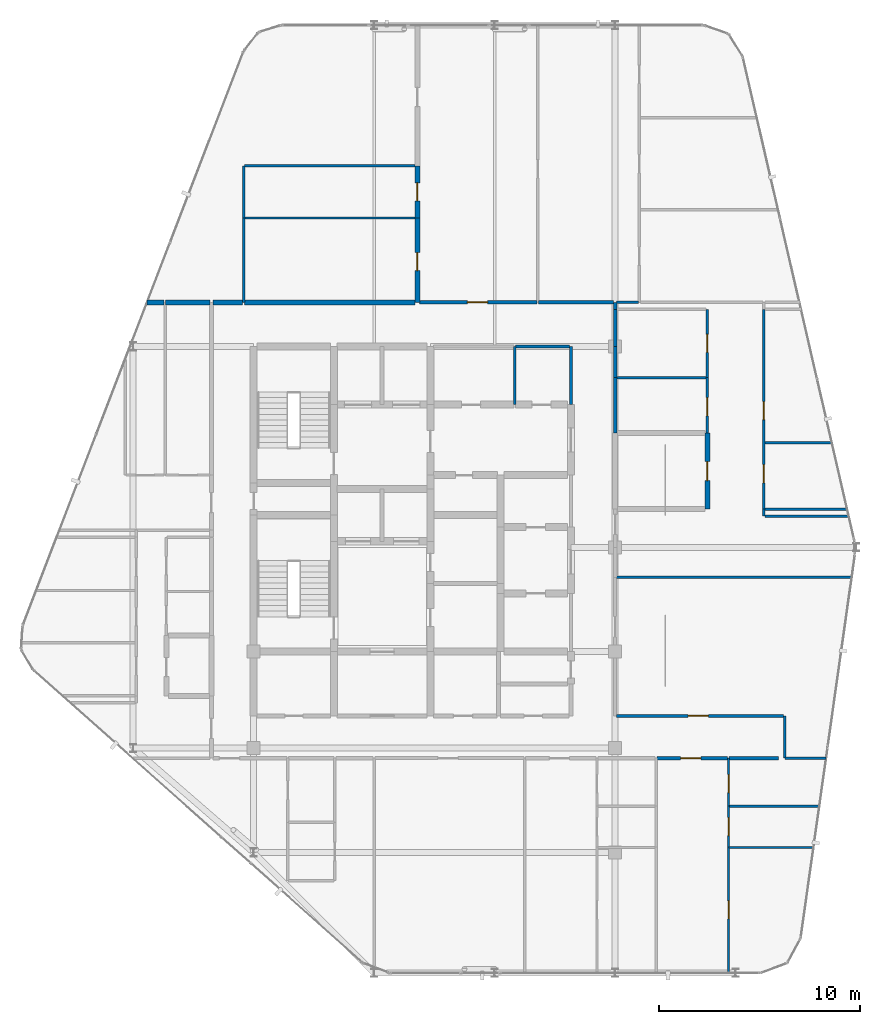
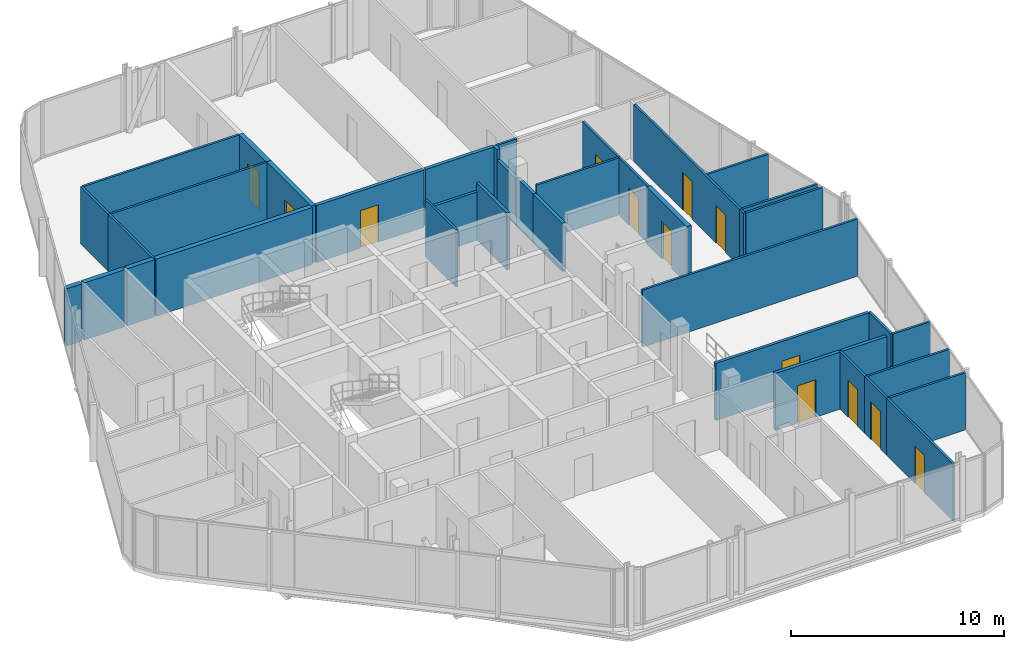
# One storey, part 25 of 27: 40 walls, 13 doors, 13 openings.
"""IFC4 building model written with IfcOpenShell, lengths in metres."""

from ifc_helpers import new_model, si_unit, direction, frame, frame_2d, origin, place, context, subcontext, project, spatial, rectangle, extrude, material, layer, layer_set, type_object, element, fill, save


model = new_model("IFC4")

# Units and contexts
model_context = context("Model", 3, precision=1e-05, world=origin(), true_north=direction((0.0, 1.0)))
body_context = subcontext(model_context, "Body", "Model", "MODEL_VIEW")
ifc_project = project(units=[si_unit("LENGTHUNIT", "METRE"), si_unit("AREAUNIT", "SQUARE_METRE"), si_unit("VOLUMEUNIT", "CUBIC_METRE"), si_unit("PLANEANGLEUNIT", "RADIAN"), si_unit("MASSUNIT", "GRAM", prefix="KILO")], contexts=[model_context])

# Site, building, storey
site_placement = place(None, origin())
site = spatial("IfcSite", under=ifc_project, at=site_placement, CompositionType="ELEMENT")
building_placement = place(site_placement, origin())
building = spatial("IfcBuilding", under=site, at=building_placement, Name="Keshet Zoharim Tower", CompositionType="ELEMENT")
storey_placement = place(building_placement, frame((0.0, 0.0, 311.0)))
storey = spatial("IfcBuildingStorey", under=building, at=storey_placement, Name="L78", CompositionType="ELEMENT", Elevation=311.0)

# Wall
ifc_material_1 = material(Name="Gypsum Plasterboard", Category="gypsum")
ifc_layer_1 = layer(ifc_material_1, 0.14990234375)
ifc_layer_set_1 = layer_set([ifc_layer_1], Name="Gypsum Plasterboard")
wall_type_1 = type_object("IfcWallType", Name="WL-CLIN-150", PredefinedType="STANDARD", material=ifc_layer_set_1)
wall_1_placement = place(storey_placement, frame((30.800048828125, 35.0, 0.0), z_axis=(0.0, 0.0, 1.0), x_axis=(0.0, 1.0, 0.0)))
element("IfcWall", 1, at=wall_1_placement, inside=storey, type_object=wall_type_1, Name="L78 Interior Wall 059", PredefinedType="STANDARD", context=body_context, shape_type="SweptSolid", body=[
    extrude(rectangle(XDim=2.89990234375, YDim=0.14990234375, at=frame_2d((1.449951171875, 0.0))), origin(), (0.0, 0.0, 1.0), 3.280029296875),
])

# Wall, opening, door
wall_2_placement = place(storey_placement, frame((33.06005859375, 19.5, 0.0), z_axis=(0.0, 0.0, 1.0), x_axis=(1.0, 0.0, 0.0)))
wall_2 = element("IfcWall", 2, at=wall_2_placement, inside=storey, type_object=wall_type_1, Name="L78 Interior Wall 103", PredefinedType="STANDARD", context=body_context, shape_type="SweptSolid", body=[
    extrude(rectangle(XDim=8.322998046875, YDim=0.14990234375, at=frame_2d((4.16162109375, 0.0))), origin(), (0.0, 0.0, 1.0), 3.280029296875),
])
opening_1_placement = place(wall_2_placement, frame((3.5830078125, 0.0, 0.0)))
opening_1 = element("IfcOpeningElement", 3, at=opening_1_placement, cuts=wall_2, Name="Opening D-F310", PredefinedType="OPENING", context=body_context, shape_type="SweptSolid", body=[
    extrude(rectangle(XDim=1.0, YDim=2.14990234375, at=frame_2d((0.5, 1.074951171875))), frame((0.0, 0.0849609375, 0.0), z_axis=(0.0, -1.0, 0.0), x_axis=(1.0, 0.0, 0.0)), (0.0, 0.0, 1.0), 0.169921875),
])
ifc_material_2 = material(Name="Hardwood Timber", Category="wood")
door_type_1 = type_object("IfcDoorType", Name="DR-FD30-100", OperationType="NOTDEFINED", PredefinedType="DOOR", material=ifc_material_2)
door_1_placement = place(opening_1_placement, origin())
door_1 = element("IfcDoor", 4, at=door_1_placement, inside=storey, type_object=door_type_1, Name="L78 South West Residents Services Suite Door 1", OperationType="SINGLE_SWING_RIGHT", OverallHeight=2.14990234375, OverallWidth=1.0, PredefinedType="DOOR", context=body_context, shape_type="SweptSolid", body=[
    extrude(rectangle(XDim=1.0, YDim=2.14990234375, at=frame_2d((0.5, 1.074951171875))), frame((0.0, 0.02490234375, 0.0), z_axis=(0.0, -1.0, 0.0), x_axis=(1.0, 0.0, 0.0)), (0.0, 0.0, 1.0), 0.050048828125),
])
fill(opening_1, door_1)

# Walls
wall_3_placement = place(storey_placement, frame((28.044921875, 37.89990234375, 0.0), z_axis=(0.0, 0.0, 1.0), x_axis=(1.0, 0.0, 0.0)))
element("IfcWall", 5, at=wall_3_placement, inside=storey, type_object=wall_type_1, Name="L78 Interior Wall 145", PredefinedType="STANDARD", context=body_context, shape_type="SweptSolid", body=[
    extrude(rectangle(XDim=2.695068359375, YDim=0.14990234375, at=frame_2d((1.34765625, 0.0))), origin(), (0.0, 0.0, 1.0), 2.780029296875),
])
ifc_layer_2 = layer(ifc_material_1, 0.179931640625)
ifc_layer_set_2 = layer_set([ifc_layer_2], Name="Gypsum Plasterboard")
wall_type_2 = type_object("IfcWallType", Name="WL-CORR-180", PredefinedType="STANDARD", material=ifc_layer_set_2)
wall_4_placement = place(storey_placement, frame((33.0, 33.5810546875, 0.0), z_axis=(0.0, 0.0, 1.0), x_axis=(0.0, 1.0, 0.0)))
element("IfcWall", 6, at=wall_4_placement, inside=storey, type_object=wall_type_2, Name="L78 Interior Wall 066", PredefinedType="STANDARD", context=body_context, shape_type="SweptSolid", body=[
    extrude(rectangle(XDim=2.785888671875, YDim=0.179931640625, at=frame_2d((1.39306640625, 0.0))), origin(), (0.0, 0.0, 1.0), 2.780029296875),
])
wall_5_placement = place(storey_placement, frame((33.0, 36.366943359375, 0.0), z_axis=(0.0, 0.0, 1.0), x_axis=(0.0, 1.0, 0.0)))
element("IfcWall", 7, at=wall_5_placement, inside=storey, type_object=wall_type_2, Name="L78 Interior Wall 067", PredefinedType="STANDARD", context=body_context, shape_type="SweptSolid", body=[
    extrude(rectangle(XDim=1.532958984375, YDim=0.179931640625, at=frame_2d((0.7666015625, 0.0))), origin(), (0.0, 0.0, 1.0), 2.780029296875),
])
wall_6_placement = place(storey_placement, frame((33.0, 39.75, 0.0), z_axis=(0.0, 0.0, 1.0), x_axis=(0.0, 1.0, 0.0)))
element("IfcWall", 8, at=wall_6_placement, inside=storey, type_object=wall_type_2, Name="L78 Interior Wall 068", PredefinedType="STANDARD", context=body_context, shape_type="SweptSolid", body=[
    extrude(rectangle(XDim=0.35009765625, YDim=0.179931640625, at=frame_2d((0.175048828125, 0.0))), origin(), (0.0, 0.0, 1.0), 3.280029296875),
])

# Wall, opening, door
wall_7_placement = place(storey_placement, frame((35.0849609375, 17.39990234375, 0.0), z_axis=(0.0, 0.0, 1.0), x_axis=(1.0, 0.0, 0.0)))
wall_7 = element("IfcWall", 9, at=wall_7_placement, inside=storey, type_object=wall_type_2, Name="L78 Interior Wall 096", PredefinedType="STANDARD", context=body_context, shape_type="SweptSolid", body=[
    extrude(rectangle(XDim=3.510009765625, YDim=0.179931640625, at=frame_2d((1.7548828125, 0.0))), origin(), (0.0, 0.0, 1.0), 3.280029296875),
])
opening_2_placement = place(wall_7_placement, frame((1.18505859375, 0.0, 0.0)))
opening_2 = element("IfcOpeningElement", 10, at=opening_2_placement, cuts=wall_7, Name="Opening D-F310", PredefinedType="OPENING", context=body_context, shape_type="SweptSolid", body=[
    extrude(rectangle(XDim=1.0, YDim=2.14990234375, at=frame_2d((0.5, 1.074951171875))), frame((0.0, 0.10009765625, 0.0), z_axis=(0.0, -1.0, 0.0), x_axis=(1.0, 0.0, 0.0)), (0.0, 0.0, 1.0), 0.199951171875),
])
door_2_placement = place(opening_2_placement, origin())
door_2 = element("IfcDoor", 11, at=door_2_placement, inside=storey, type_object=door_type_1, Name="Apartment 7803 Entrance Door", OperationType="SINGLE_SWING_LEFT", OverallHeight=2.14990234375, OverallWidth=1.0, PredefinedType="DOOR", context=body_context, shape_type="SweptSolid", body=[
    extrude(rectangle(XDim=1.0, YDim=2.14990234375, at=frame_2d((0.5, 1.074951171875))), frame((0.0, 0.02490234375, 0.0), z_axis=(0.0, -1.0, 0.0), x_axis=(1.0, 0.0, 0.0)), (0.0, 0.0, 1.0), 0.050048828125),
])
fill(opening_2, door_2)

# Wall
wall_8_placement = place(storey_placement, frame((38.68505859375, 17.39990234375, 0.0), z_axis=(0.0, 0.0, 1.0), x_axis=(1.0, 0.0, 0.0)))
element("IfcWall", 12, at=wall_8_placement, inside=storey, type_object=wall_type_2, Name="L78 Interior Wall 097", PredefinedType="STANDARD", context=body_context, shape_type="SweptSolid", body=[
    extrude(rectangle(XDim=2.44482421875, YDim=0.179931640625, at=frame_2d((1.222412109375, 0.0))), origin(), (0.0, 0.0, 1.0), 3.280029296875),
])

# Wall, opening, door
wall_9_placement = place(storey_placement, frame((23.260009765625, 40.10009765625, 0.0), z_axis=(0.0, 0.0, 1.0), x_axis=(1.0, 0.0, 0.0)))
wall_9 = element("IfcWall", 13, at=wall_9_placement, inside=storey, type_object=wall_type_2, Name="L78 Interior Wall 152", PredefinedType="STANDARD", context=body_context, shape_type="SweptSolid", body=[
    extrude(rectangle(XDim=5.844970703125, YDim=0.179931640625, at=frame_2d((2.92236328125, 0.0))), origin(), (0.0, 0.0, 1.0), 3.280029296875),
])
opening_3_placement = place(wall_9_placement, frame((2.389892578125, 0.0, 0.0)))
opening_3 = element("IfcOpeningElement", 14, at=opening_3_placement, cuts=wall_9, Name="Opening D-F310", PredefinedType="OPENING", context=body_context, shape_type="SweptSolid", body=[
    extrude(rectangle(XDim=1.0, YDim=2.14990234375, at=frame_2d((0.5, 1.074951171875))), frame((0.0, 0.10009765625, 0.0), z_axis=(0.0, -1.0, 0.0), x_axis=(1.0, 0.0, 0.0)), (0.0, 0.0, 1.0), 0.199951171875),
])
door_3_placement = place(opening_3_placement, origin())
door_3 = element("IfcDoor", 15, at=door_3_placement, inside=storey, type_object=door_type_1, Name="Apartment 7804 Entrance Door", OperationType="SINGLE_SWING_LEFT", OverallHeight=2.14990234375, OverallWidth=1.0, PredefinedType="DOOR", context=body_context, shape_type="SweptSolid", body=[
    extrude(rectangle(XDim=1.0, YDim=2.14990234375, at=frame_2d((0.5, 1.074951171875))), frame((0.0, 0.02490234375, 0.0), z_axis=(0.0, -1.0, 0.0), x_axis=(1.0, 0.0, 0.0)), (0.0, 0.0, 1.0), 0.050048828125),
])
fill(opening_3, door_3)

# Walls
wall_10_placement = place(storey_placement, frame((29.195068359375, 40.10009765625, 0.0), z_axis=(0.0, 0.0, 1.0), x_axis=(1.0, 0.0, 0.0)))
element("IfcWall", 16, at=wall_10_placement, inside=storey, type_object=wall_type_2, Name="L78 Interior Wall 153", PredefinedType="STANDARD", context=body_context, shape_type="SweptSolid", body=[
    extrude(rectangle(XDim=3.72998046875, YDim=0.179931640625, at=frame_2d((1.864990234375, 0.0))), origin(), (0.0, 0.0, 1.0), 3.280029296875),
])
wall_11_placement = place(storey_placement, frame((33.0, 37.89990234375, 0.0), z_axis=(0.0, 0.0, 1.0), x_axis=(0.0, 1.0, 0.0)))
element("IfcWall", 17, at=wall_11_placement, inside=storey, type_object=wall_type_2, Name="L78 Interior Wall 067 Part 2", PredefinedType="STANDARD", context=body_context, shape_type="SweptSolid", body=[
    extrude(rectangle(XDim=1.85009765625, YDim=0.179931640625, at=frame_2d((0.925048828125, 0.0))), origin(), (0.0, 0.0, 1.0), 2.679931640625),
])

# Wall, opening, door
ifc_material_3 = material(Name="Concrete C50/60", Category="concrete")
ifc_layer_3 = layer(ifc_material_3, 0.25)
ifc_layer_set_3 = layer_set([ifc_layer_3], Name="Concrete C50/60")
wall_type_3 = type_object("IfcWallType", Name="WL-MAMAD-250", PredefinedType="STANDARD", material=ifc_layer_set_3)
wall_12_placement = place(storey_placement, frame((23.14990234375, 40.10009765625, 0.0), z_axis=(0.0, 0.0, 1.0), x_axis=(0.0, 1.0, 0.0)))
wall_12 = element("IfcWall", 18, at=wall_12_placement, inside=storey, type_object=wall_type_3, Name="L78 Interior Wall 034", PredefinedType="STANDARD", context=body_context, shape_type="SweptSolid", body=[
    extrude(rectangle(XDim=4.199951171875, YDim=0.25, at=frame_2d((2.10009765625, 0.0))), origin(), (0.0, 0.0, 1.0), 3.280029296875),
])
opening_4_placement = place(wall_12_placement, frame((1.576904296875, 0.0, 0.0)))
opening_4 = element("IfcOpeningElement", 19, at=opening_4_placement, cuts=wall_12, Name="Opening D-IN90", PredefinedType="OPENING", context=body_context, shape_type="SweptSolid", body=[
    extrude(rectangle(XDim=0.89990234375, YDim=2.14990234375, at=frame_2d((0.449951171875, 1.074951171875))), frame((0.0, 0.135009765625, 0.0), z_axis=(0.0, -1.0, 0.0), x_axis=(1.0, 0.0, 0.0)), (0.0, 0.0, 1.0), 0.27001953125),
])
door_type_2 = type_object("IfcDoorType", Name="DR-INT-090", OperationType="NOTDEFINED", PredefinedType="DOOR", material=ifc_material_2)
door_4_placement = place(opening_4_placement, origin())
door_4 = element("IfcDoor", 20, at=door_4_placement, inside=storey, type_object=door_type_2, Name="Apartment 7804 Kitchen Door", OperationType="SINGLE_SWING_RIGHT", OverallHeight=2.14990234375, OverallWidth=0.89990234375, PredefinedType="DOOR", context=body_context, shape_type="SweptSolid", body=[
    extrude(rectangle(XDim=0.89990234375, YDim=2.14990234375, at=frame_2d((0.449951171875, 1.074951171875))), frame((0.0, 0.02490234375, 0.0), z_axis=(0.0, -1.0, 0.0), x_axis=(1.0, 0.0, 0.0)), (0.0, 0.0, 1.0), 0.050048828125),
])
fill(opening_4, door_4)

wall_13_placement = place(storey_placement, frame((23.14990234375, 44.300048828125, 0.0), z_axis=(0.0, 0.0, 1.0), x_axis=(0.0, 1.0, 0.0)))
wall_13 = element("IfcWall", 21, at=wall_13_placement, inside=storey, type_object=wall_type_3, Name="L78 Interior Wall 035", PredefinedType="STANDARD", context=body_context, shape_type="SweptSolid", body=[
    extrude(rectangle(XDim=2.599853515625, YDim=0.25, at=frame_2d((1.2998046875, 0.0))), origin(), (0.0, 0.0, 1.0), 3.280029296875),
])
opening_5_placement = place(wall_13_placement, frame((0.85009765625, 0.0, 0.0)))
opening_5 = element("IfcOpeningElement", 22, at=opening_5_placement, cuts=wall_13, Name="Opening D-WT90", PredefinedType="OPENING", context=body_context, shape_type="SweptSolid", body=[
    extrude(rectangle(XDim=0.89990234375, YDim=2.10009765625, at=frame_2d((0.449951171875, 1.050048828125))), frame((0.0, 0.135009765625, 0.0), z_axis=(0.0, -1.0, 0.0), x_axis=(1.0, 0.0, 0.0)), (0.0, 0.0, 1.0), 0.27001953125),
])
door_type_3 = type_object("IfcDoorType", Name="DR-WET-090", OperationType="NOTDEFINED", PredefinedType="DOOR", material=ifc_material_2)
door_5_placement = place(opening_5_placement, origin())
door_5 = element("IfcDoor", 23, at=door_5_placement, inside=storey, type_object=door_type_3, Name="Apartment 7804 Bathroom Door", OperationType="SINGLE_SWING_LEFT", OverallHeight=2.10009765625, OverallWidth=0.89990234375, PredefinedType="DOOR", context=body_context, shape_type="SweptSolid", body=[
    extrude(rectangle(XDim=0.89990234375, YDim=2.10009765625, at=frame_2d((0.449951171875, 1.050048828125))), frame((0.0, 0.02490234375, 0.0), z_axis=(0.0, -1.0, 0.0), x_axis=(1.0, 0.0, 0.0)), (0.0, 0.0, 1.0), 0.050048828125),
])
fill(opening_5, door_5)

wall_14_placement = place(storey_placement, frame((37.60009765625, 29.800048828125, 0.0), z_axis=(0.0, 0.0, 1.0), x_axis=(0.0, 1.0, 0.0)))
wall_14 = element("IfcWall", 24, at=wall_14_placement, inside=storey, type_object=wall_type_3, Name="L78 Interior Wall 073", PredefinedType="STANDARD", context=body_context, shape_type="SweptSolid", body=[
    extrude(rectangle(XDim=3.781005859375, YDim=0.25, at=frame_2d((1.890625, 0.0))), origin(), (0.0, 0.0, 1.0), 3.280029296875),
])
opening_6_placement = place(wall_14_placement, frame((1.416015625, 0.0, 0.0)))
opening_6 = element("IfcOpeningElement", 25, at=opening_6_placement, cuts=wall_14, Name="Opening D-F695", PredefinedType="OPENING", context=body_context, shape_type="SweptSolid", body=[
    extrude(rectangle(XDim=0.949951171875, YDim=2.14990234375, at=frame_2d((0.47509765625, 1.074951171875))), frame((0.0, 0.135009765625, 0.0), z_axis=(0.0, -1.0, 0.0), x_axis=(1.0, 0.0, 0.0)), (0.0, 0.0, 1.0), 0.27001953125),
])
door_type_4 = type_object("IfcDoorType", Name="DR-FD60-095", OperationType="NOTDEFINED", PredefinedType="DOOR", material=ifc_material_2)
door_6_placement = place(opening_6_placement, origin())
door_6 = element("IfcDoor", 26, at=door_6_placement, inside=storey, type_object=door_type_4, Name="Apartment 7807 Study and Shelter Room Door", OperationType="SINGLE_SWING_RIGHT", OverallHeight=2.14990234375, OverallWidth=0.949951171875, PredefinedType="DOOR", context=body_context, shape_type="SweptSolid", body=[
    extrude(rectangle(XDim=0.949951171875, YDim=2.14990234375, at=frame_2d((0.47509765625, 1.074951171875))), frame((0.0, 0.02490234375, 0.0), z_axis=(0.0, -1.0, 0.0), x_axis=(1.0, 0.0, 0.0)), (0.0, 0.0, 1.0), 0.050048828125),
])
fill(opening_6, door_6)

# Walls
wall_15_placement = place(storey_placement, frame((9.701904296875, 40.10009765625, 0.0), z_axis=(0.0, 0.0, 1.0), x_axis=(1.0, 0.0, 0.0)))
element("IfcWall", 27, at=wall_15_placement, inside=storey, type_object=wall_type_3, Name="L78 Interior Wall 148", PredefinedType="STANDARD", context=body_context, shape_type="SweptSolid", body=[
    extrude(rectangle(XDim=0.8310546875, YDim=0.25, at=frame_2d((0.41552734375, 0.0))), origin(), (0.0, 0.0, 1.0), 3.280029296875),
])
wall_16_placement = place(storey_placement, frame((10.623046875, 40.10009765625, 0.0), z_axis=(0.0, 0.0, 1.0), x_axis=(1.0, 0.0, 0.0)))
element("IfcWall", 28, at=wall_16_placement, inside=storey, type_object=wall_type_3, Name="L78 Interior Wall 149", PredefinedType="STANDARD", context=body_context, shape_type="SweptSolid", body=[
    extrude(rectangle(XDim=2.201904296875, YDim=0.25, at=frame_2d((1.10107421875, 0.0))), origin(), (0.0, 0.0, 1.0), 3.280029296875),
])
wall_17_placement = place(storey_placement, frame((12.97509765625, 40.10009765625, 0.0), z_axis=(0.0, 0.0, 1.0), x_axis=(1.0, 0.0, 0.0)))
element("IfcWall", 29, at=wall_17_placement, inside=storey, type_object=wall_type_3, Name="L78 Interior Wall 150", PredefinedType="STANDARD", context=body_context, shape_type="SweptSolid", body=[
    extrude(rectangle(XDim=1.47998046875, YDim=0.25, at=frame_2d((0.739990234375, 0.0))), origin(), (0.0, 0.0, 1.0), 3.280029296875),
])
wall_18_placement = place(storey_placement, frame((14.544921875, 40.10009765625, 0.0), z_axis=(0.0, 0.0, 1.0), x_axis=(1.0, 0.0, 0.0)))
element("IfcWall", 30, at=wall_18_placement, inside=storey, type_object=wall_type_3, Name="L78 Interior Wall 151", PredefinedType="STANDARD", context=body_context, shape_type="SweptSolid", body=[
    extrude(rectangle(XDim=8.4951171875, YDim=0.25, at=frame_2d((4.24755859375, 0.0))), origin(), (0.0, 0.0, 1.0), 3.280029296875),
])
ifc_layer_4 = layer(ifc_material_1, 0.1201171875)
ifc_layer_set_4 = layer_set([ifc_layer_4], Name="Gypsum Plasterboard")
wall_type_4 = type_object("IfcWallType", Name="WL-PART-120", PredefinedType="PARTITIONING", material=ifc_layer_set_4)
wall_19_placement = place(storey_placement, frame((14.5, 40.10009765625, 0.0), z_axis=(0.0, 0.0, 1.0), x_axis=(0.0, 1.0, 0.0)))
element("IfcWall", 31, at=wall_19_placement, inside=storey, type_object=wall_type_4, Name="L78 Interior Wall 016", PredefinedType="PARTITIONING", context=body_context, shape_type="SweptSolid", body=[
    extrude(rectangle(XDim=4.199951171875, YDim=0.1201171875, at=frame_2d((2.10009765625, 0.0))), origin(), (0.0, 0.0, 1.0), 3.280029296875),
])
wall_20_placement = place(storey_placement, frame((28.0, 35.0, 0.0), z_axis=(0.0, 0.0, 1.0), x_axis=(0.0, 1.0, 0.0)))
element("IfcWall", 32, at=wall_20_placement, inside=storey, type_object=wall_type_4, Name="L78 Interior Wall 050", PredefinedType="PARTITIONING", context=body_context, shape_type="SweptSolid", body=[
    extrude(rectangle(XDim=2.89990234375, YDim=0.1201171875, at=frame_2d((1.449951171875, 0.0))), origin(), (0.0, 0.0, 1.0), 3.280029296875),
])

# Wall, opening, door
wall_21_placement = place(storey_placement, frame((37.60009765625, 36.366943359375, 0.0), z_axis=(0.0, 0.0, 1.0), x_axis=(0.0, 1.0, 0.0)))
wall_21 = element("IfcWall", 33, at=wall_21_placement, inside=storey, type_object=wall_type_4, Name="L78 Interior Wall 075", PredefinedType="PARTITIONING", context=body_context, shape_type="SweptSolid", body=[
    extrude(rectangle(XDim=3.383056640625, YDim=0.1201171875, at=frame_2d((1.69140625, 0.0))), origin(), (0.0, 0.0, 1.0), 3.280029296875),
])
opening_7_placement = place(wall_21_placement, frame((1.241943359375, 0.0, 0.0)))
opening_7 = element("IfcOpeningElement", 34, at=opening_7_placement, cuts=wall_21, Name="Opening D-IN90", PredefinedType="OPENING", context=body_context, shape_type="SweptSolid", body=[
    extrude(rectangle(XDim=0.89990234375, YDim=2.14990234375, at=frame_2d((0.449951171875, 1.074951171875))), frame((0.0, 0.070068359375, 0.0), z_axis=(0.0, -1.0, 0.0), x_axis=(1.0, 0.0, 0.0)), (0.0, 0.0, 1.0), 0.14013671875),
])
door_7_placement = place(opening_7_placement, origin())
door_7 = element("IfcDoor", 35, at=door_7_placement, inside=storey, type_object=door_type_2, Name="Apartment 7807 Kitchen Door", OperationType="SINGLE_SWING_RIGHT", OverallHeight=2.14990234375, OverallWidth=0.89990234375, PredefinedType="DOOR", context=body_context, shape_type="SweptSolid", body=[
    extrude(rectangle(XDim=0.89990234375, YDim=2.14990234375, at=frame_2d((0.449951171875, 1.074951171875))), frame((0.0, 0.02490234375, 0.0), z_axis=(0.0, -1.0, 0.0), x_axis=(1.0, 0.0, 0.0)), (0.0, 0.0, 1.0), 0.050048828125),
])
fill(opening_7, door_7)

wall_22_placement = place(storey_placement, frame((38.64990234375, 6.7099609375, 0.0), z_axis=(0.0, 0.0, 1.0), x_axis=(0.0, 1.0, 0.0)))
wall_22 = element("IfcWall", 36, at=wall_22_placement, inside=storey, type_object=wall_type_4, Name="L78 Interior Wall 076", PredefinedType="PARTITIONING", context=body_context, shape_type="SweptSolid", body=[
    extrude(rectangle(XDim=6.260009765625, YDim=0.1201171875, at=frame_2d((3.1298828125, 0.0))), origin(), (0.0, 0.0, 1.0), 3.280029296875),
])
opening_8_placement = place(wall_22_placement, frame((2.679931640625, 0.0, 0.0)))
opening_8 = element("IfcOpeningElement", 37, at=opening_8_placement, cuts=wall_22, Name="Opening D-IN90", PredefinedType="OPENING", context=body_context, shape_type="SweptSolid", body=[
    extrude(rectangle(XDim=0.89990234375, YDim=2.14990234375, at=frame_2d((0.449951171875, 1.074951171875))), frame((0.0, 0.070068359375, 0.0), z_axis=(0.0, -1.0, 0.0), x_axis=(1.0, 0.0, 0.0)), (0.0, 0.0, 1.0), 0.14013671875),
])
door_8_placement = place(opening_8_placement, origin())
door_8 = element("IfcDoor", 38, at=door_8_placement, inside=storey, type_object=door_type_2, Name="Apartment 7803 Bedroom 1 Door", OperationType="SINGLE_SWING_LEFT", OverallHeight=2.14990234375, OverallWidth=0.89990234375, PredefinedType="DOOR", context=body_context, shape_type="SweptSolid", body=[
    extrude(rectangle(XDim=0.89990234375, YDim=2.14990234375, at=frame_2d((0.449951171875, 1.074951171875))), frame((0.0, 0.02490234375, 0.0), z_axis=(0.0, -1.0, 0.0), x_axis=(1.0, 0.0, 0.0)), (0.0, 0.0, 1.0), 0.050048828125),
])
fill(opening_8, door_8)

wall_23_placement = place(storey_placement, frame((38.64990234375, 12.969970703125, 0.0), z_axis=(0.0, 0.0, 1.0), x_axis=(0.0, 1.0, 0.0)))
wall_23 = element("IfcWall", 39, at=wall_23_placement, inside=storey, type_object=wall_type_4, Name="L78 Interior Wall 077", PredefinedType="PARTITIONING", context=body_context, shape_type="SweptSolid", body=[
    extrude(rectangle(XDim=2.0380859375, YDim=0.1201171875, at=frame_2d((1.01904296875, 0.0))), origin(), (0.0, 0.0, 1.0), 3.280029296875),
])
opening_9_placement = place(wall_23_placement, frame((0.569091796875, 0.0, 0.0)))
opening_9 = element("IfcOpeningElement", 40, at=opening_9_placement, cuts=wall_23, Name="Opening D-IN90", PredefinedType="OPENING", context=body_context, shape_type="SweptSolid", body=[
    extrude(rectangle(XDim=0.89990234375, YDim=2.14990234375, at=frame_2d((0.449951171875, 1.074951171875))), frame((0.0, 0.070068359375, 0.0), z_axis=(0.0, -1.0, 0.0), x_axis=(1.0, 0.0, 0.0)), (0.0, 0.0, 1.0), 0.14013671875),
])
door_9_placement = place(opening_9_placement, origin())
door_9 = element("IfcDoor", 41, at=door_9_placement, inside=storey, type_object=door_type_2, Name="Apartment 7803 Kitchen Door", OperationType="SINGLE_SWING_RIGHT", OverallHeight=2.14990234375, OverallWidth=0.89990234375, PredefinedType="DOOR", context=body_context, shape_type="SweptSolid", body=[
    extrude(rectangle(XDim=0.89990234375, YDim=2.14990234375, at=frame_2d((0.449951171875, 1.074951171875))), frame((0.0, 0.02490234375, 0.0), z_axis=(0.0, -1.0, 0.0), x_axis=(1.0, 0.0, 0.0)), (0.0, 0.0, 1.0), 0.050048828125),
])
fill(opening_9, door_9)

# Wall
wall_24_placement = place(storey_placement, frame((40.39990234375, 29.449951171875, 0.0), z_axis=(0.0, 0.0, 1.0), x_axis=(0.0, 1.0, 0.0)))
element("IfcWall", 42, at=wall_24_placement, inside=storey, type_object=wall_type_4, Name="L78 Interior Wall 079", PredefinedType="PARTITIONING", context=body_context, shape_type="SweptSolid", body=[
    extrude(rectangle(XDim=0.35009765625, YDim=0.1201171875, at=frame_2d((0.175048828125, 0.0))), origin(), (0.0, 0.0, 1.0), 3.280029296875),
])

# Wall, openings, doors
wall_25_placement = place(storey_placement, frame((40.39990234375, 29.800048828125, 0.0), z_axis=(0.0, 0.0, 1.0), x_axis=(0.0, 1.0, 0.0)))
wall_25 = element("IfcWall", 43, at=wall_25_placement, inside=storey, type_object=wall_type_4, Name="L78 Interior Wall 080", PredefinedType="PARTITIONING", context=body_context, shape_type="SweptSolid", body=[
    extrude(rectangle(XDim=9.949951171875, YDim=0.1201171875, at=frame_2d((4.97509765625, 0.0))), origin(), (0.0, 0.0, 1.0), 3.280029296875),
])
opening_10_placement = place(wall_25_placement, frame((1.31201171875, 0.0, 0.0)))
opening_10 = element("IfcOpeningElement", 44, at=opening_10_placement, cuts=wall_25, Name="Opening D-IN90", PredefinedType="OPENING", context=body_context, shape_type="SweptSolid", body=[
    extrude(rectangle(XDim=0.89990234375, YDim=2.14990234375, at=frame_2d((0.449951171875, 1.074951171875))), frame((0.0, 0.070068359375, 0.0), z_axis=(0.0, -1.0, 0.0), x_axis=(1.0, 0.0, 0.0)), (0.0, 0.0, 1.0), 0.14013671875),
])
opening_11_placement = place(wall_25_placement, frame((4.451904296875, 0.0, 0.0)))
opening_11 = element("IfcOpeningElement", 45, at=opening_11_placement, cuts=wall_25, Name="Opening D-IN90", PredefinedType="OPENING", context=body_context, shape_type="SweptSolid", body=[
    extrude(rectangle(XDim=0.89990234375, YDim=2.14990234375, at=frame_2d((0.449951171875, 1.074951171875))), frame((0.0, 0.070068359375, 0.0), z_axis=(0.0, -1.0, 0.0), x_axis=(1.0, 0.0, 0.0)), (0.0, 0.0, 1.0), 0.14013671875),
])
door_10_placement = place(opening_10_placement, origin())
door_10 = element("IfcDoor", 46, at=door_10_placement, inside=storey, type_object=door_type_2, Name="Apartment 7807 Bedroom 1 Door", OperationType="SINGLE_SWING_RIGHT", OverallHeight=2.14990234375, OverallWidth=0.89990234375, PredefinedType="DOOR", context=body_context, shape_type="SweptSolid", body=[
    extrude(rectangle(XDim=0.89990234375, YDim=2.14990234375, at=frame_2d((0.449951171875, 1.074951171875))), frame((0.0, 0.02490234375, 0.0), z_axis=(0.0, -1.0, 0.0), x_axis=(1.0, 0.0, 0.0)), (0.0, 0.0, 1.0), 0.050048828125),
])
fill(opening_10, door_10)
door_11_placement = place(opening_11_placement, origin())
door_11 = element("IfcDoor", 47, at=door_11_placement, inside=storey, type_object=door_type_2, Name="Apartment 7807 Bedroom 2 Door", OperationType="SINGLE_SWING_LEFT", OverallHeight=2.14990234375, OverallWidth=0.89990234375, PredefinedType="DOOR", context=body_context, shape_type="SweptSolid", body=[
    extrude(rectangle(XDim=0.89990234375, YDim=2.14990234375, at=frame_2d((0.449951171875, 1.074951171875))), frame((0.0, 0.02490234375, 0.0), z_axis=(0.0, -1.0, 0.0), x_axis=(1.0, 0.0, 0.0)), (0.0, 0.0, 1.0), 0.050048828125),
])
fill(opening_11, door_11)

# Walls
wall_26_placement = place(storey_placement, frame((41.449951171875, 17.39990234375, 0.0), z_axis=(0.0, 0.0, 1.0), x_axis=(0.0, 1.0, 0.0)))
element("IfcWall", 48, at=wall_26_placement, inside=storey, type_object=wall_type_4, Name="L78 Interior Wall 082", PredefinedType="PARTITIONING", context=body_context, shape_type="SweptSolid", body=[
    extrude(rectangle(XDim=2.09912109375, YDim=0.1201171875, at=frame_2d((1.049560546875, 0.0))), origin(), (0.0, 0.0, 1.0), 3.280029296875),
])
wall_27_placement = place(storey_placement, frame((38.68505859375, 12.949951171875, 0.0), z_axis=(0.0, 0.0, 1.0), x_axis=(1.0, 0.0, 0.0)))
element("IfcWall", 49, at=wall_27_placement, inside=storey, type_object=wall_type_4, Name="L78 Interior Wall 085", PredefinedType="PARTITIONING", context=body_context, shape_type="SweptSolid", body=[
    extrude(rectangle(XDim=4.18896484375, YDim=0.1201171875, at=frame_2d((2.094482421875, 0.0))), origin(), (0.0, 0.0, 1.0), 3.280029296875),
])
wall_28_placement = place(storey_placement, frame((33.074951171875, 26.39990234375, 0.0), z_axis=(0.0, 0.0, 1.0), x_axis=(1.0, 0.0, 0.0)))
element("IfcWall", 50, at=wall_28_placement, inside=storey, type_object=wall_type_4, Name="L78 Interior Wall 118", PredefinedType="PARTITIONING", context=body_context, shape_type="SweptSolid", body=[
    extrude(rectangle(XDim=11.703125, YDim=0.1201171875, at=frame_2d((5.8515625, 0.0))), origin(), (0.0, 0.0, 1.0), 3.280029296875),
])
wall_29_placement = place(storey_placement, frame((40.465087890625, 29.449951171875, 0.0), z_axis=(0.0, 0.0, 1.0), x_axis=(1.0, 0.0, 0.0)))
element("IfcWall", 51, at=wall_29_placement, inside=storey, type_object=wall_type_4, Name="L78 Interior Wall 125", PredefinedType="PARTITIONING", context=body_context, shape_type="SweptSolid", body=[
    extrude(rectangle(XDim=4.1669921875, YDim=0.1201171875, at=frame_2d((2.08349609375, 0.0))), origin(), (0.0, 0.0, 1.0), 3.280029296875),
])
wall_30_placement = place(storey_placement, frame((40.465087890625, 29.800048828125, 0.0), z_axis=(0.0, 0.0, 1.0), x_axis=(1.0, 0.0, 0.0)))
element("IfcWall", 52, at=wall_30_placement, inside=storey, type_object=wall_type_4, Name="L78 Interior Wall 129", PredefinedType="PARTITIONING", context=body_context, shape_type="SweptSolid", body=[
    extrude(rectangle(XDim=4.0859375, YDim=0.1201171875, at=frame_2d((2.04296875, 0.0))), origin(), (0.0, 0.0, 1.0), 3.280029296875),
])
wall_31_placement = place(storey_placement, frame((40.465087890625, 33.10009765625, 0.0), z_axis=(0.0, 0.0, 1.0), x_axis=(1.0, 0.0, 0.0)))
element("IfcWall", 53, at=wall_31_placement, inside=storey, type_object=wall_type_4, Name="L78 Interior Wall 136", PredefinedType="PARTITIONING", context=body_context, shape_type="SweptSolid", body=[
    extrude(rectangle(XDim=3.324951171875, YDim=0.1201171875, at=frame_2d((1.66259765625, 0.0))), origin(), (0.0, 0.0, 1.0), 3.280029296875),
])
wall_32_placement = place(storey_placement, frame((33.074951171875, 40.10009765625, 0.0), z_axis=(0.0, 0.0, 1.0), x_axis=(1.0, 0.0, 0.0)))
element("IfcWall", 54, at=wall_32_placement, inside=storey, type_object=wall_type_4, Name="L78 Interior Wall 154", PredefinedType="PARTITIONING", context=body_context, shape_type="SweptSolid", body=[
    extrude(rectangle(XDim=1.10009765625, YDim=0.1201171875, at=frame_2d((0.550048828125, 0.0))), origin(), (0.0, 0.0, 1.0), 3.280029296875),
])
ifc_layer_5 = layer(ifc_material_1, 0.1201171875)
ifc_layer_set_5 = layer_set([ifc_layer_5], Name="Gypsum Plasterboard")
wall_type_5 = type_object("IfcWallType", Name="WL-WET-120", PredefinedType="PARTITIONING", material=ifc_layer_set_5)
wall_33_placement = place(storey_placement, frame((14.5, 44.300048828125, 0.0), z_axis=(0.0, 0.0, 1.0), x_axis=(0.0, 1.0, 0.0)))
element("IfcWall", 55, at=wall_33_placement, inside=storey, type_object=wall_type_5, Name="L78 Interior Wall 017", PredefinedType="PARTITIONING", context=body_context, shape_type="SweptSolid", body=[
    extrude(rectangle(XDim=2.599853515625, YDim=0.1201171875, at=frame_2d((1.2998046875, 0.0))), origin(), (0.0, 0.0, 1.0), 3.280029296875),
])

# Wall, opening, door
wall_34_placement = place(storey_placement, frame((37.60009765625, 33.5810546875, 0.0), z_axis=(0.0, 0.0, 1.0), x_axis=(0.0, 1.0, 0.0)))
wall_34 = element("IfcWall", 56, at=wall_34_placement, inside=storey, type_object=wall_type_5, Name="L78 Interior Wall 074", PredefinedType="PARTITIONING", context=body_context, shape_type="SweptSolid", body=[
    extrude(rectangle(XDim=2.785888671875, YDim=0.1201171875, at=frame_2d((1.39306640625, 0.0))), origin(), (0.0, 0.0, 1.0), 3.280029296875),
])
opening_12_placement = place(wall_34_placement, frame((0.866943359375, 0.0, 0.0)))
opening_12 = element("IfcOpeningElement", 57, at=opening_12_placement, cuts=wall_34, Name="Opening D-WT90", PredefinedType="OPENING", context=body_context, shape_type="SweptSolid", body=[
    extrude(rectangle(XDim=0.89990234375, YDim=2.10009765625, at=frame_2d((0.449951171875, 1.050048828125))), frame((0.0, 0.070068359375, 0.0), z_axis=(0.0, -1.0, 0.0), x_axis=(1.0, 0.0, 0.0)), (0.0, 0.0, 1.0), 0.14013671875),
])
door_12_placement = place(opening_12_placement, origin())
door_12 = element("IfcDoor", 58, at=door_12_placement, inside=storey, type_object=door_type_3, Name="Apartment 7807 Bathroom Door", OperationType="SINGLE_SWING_LEFT", OverallHeight=2.10009765625, OverallWidth=0.89990234375, PredefinedType="DOOR", context=body_context, shape_type="SweptSolid", body=[
    extrude(rectangle(XDim=0.89990234375, YDim=2.10009765625, at=frame_2d((0.449951171875, 1.050048828125))), frame((0.0, 0.02490234375, 0.0), z_axis=(0.0, -1.0, 0.0), x_axis=(1.0, 0.0, 0.0)), (0.0, 0.0, 1.0), 0.050048828125),
])
fill(opening_12, door_12)

wall_35_placement = place(storey_placement, frame((38.64990234375, 15.008056640625, 0.0), z_axis=(0.0, 0.0, 1.0), x_axis=(0.0, 1.0, 0.0)))
wall_35 = element("IfcWall", 59, at=wall_35_placement, inside=storey, type_object=wall_type_5, Name="L78 Interior Wall 078", PredefinedType="PARTITIONING", context=body_context, shape_type="SweptSolid", body=[
    extrude(rectangle(XDim=2.391845703125, YDim=0.1201171875, at=frame_2d((1.19580078125, 0.0))), origin(), (0.0, 0.0, 1.0), 3.280029296875),
])
opening_13_placement = place(wall_35_placement, frame((0.675048828125, 0.0, 0.0)))
opening_13 = element("IfcOpeningElement", 60, at=opening_13_placement, cuts=wall_35, Name="Opening D-WT90", PredefinedType="OPENING", context=body_context, shape_type="SweptSolid", body=[
    extrude(rectangle(XDim=0.89990234375, YDim=2.10009765625, at=frame_2d((0.449951171875, 1.050048828125))), frame((0.0, 0.070068359375, 0.0), z_axis=(0.0, -1.0, 0.0), x_axis=(1.0, 0.0, 0.0)), (0.0, 0.0, 1.0), 0.14013671875),
])
door_13_placement = place(opening_13_placement, origin())
door_13 = element("IfcDoor", 61, at=door_13_placement, inside=storey, type_object=door_type_3, Name="Apartment 7803 Bathroom Door", OperationType="SINGLE_SWING_LEFT", OverallHeight=2.10009765625, OverallWidth=0.89990234375, PredefinedType="DOOR", context=body_context, shape_type="SweptSolid", body=[
    extrude(rectangle(XDim=0.89990234375, YDim=2.10009765625, at=frame_2d((0.449951171875, 1.050048828125))), frame((0.0, 0.02490234375, 0.0), z_axis=(0.0, -1.0, 0.0), x_axis=(1.0, 0.0, 0.0)), (0.0, 0.0, 1.0), 0.050048828125),
])
fill(opening_13, door_13)

# Walls
wall_36_placement = place(storey_placement, frame((38.68505859375, 15.0, 0.0), z_axis=(0.0, 0.0, 1.0), x_axis=(1.0, 0.0, 0.0)))
element("IfcWall", 62, at=wall_36_placement, inside=storey, type_object=wall_type_5, Name="L78 Interior Wall 088", PredefinedType="PARTITIONING", context=body_context, shape_type="SweptSolid", body=[
    extrude(rectangle(XDim=4.47900390625, YDim=0.1201171875, at=frame_2d((2.239501953125, 0.0))), origin(), (0.0, 0.0, 1.0), 3.280029296875),
])
wall_37_placement = place(storey_placement, frame((41.472900390625, 17.39990234375, 0.0), z_axis=(0.0, 0.0, 1.0), x_axis=(1.0, 0.0, 0.0)))
element("IfcWall", 63, at=wall_37_placement, inside=storey, type_object=wall_type_5, Name="L78 Interior Wall 098", PredefinedType="PARTITIONING", context=body_context, shape_type="SweptSolid", body=[
    extrude(rectangle(XDim=2.031005859375, YDim=0.1201171875, at=frame_2d((1.015625, 0.0))), origin(), (0.0, 0.0, 1.0), 3.280029296875),
])
wall_38_placement = place(storey_placement, frame((33.074951171875, 36.35009765625, 0.0), z_axis=(0.0, 0.0, 1.0), x_axis=(1.0, 0.0, 0.0)))
element("IfcWall", 64, at=wall_38_placement, inside=storey, type_object=wall_type_5, Name="L78 Interior Wall 141", PredefinedType="PARTITIONING", context=body_context, shape_type="SweptSolid", body=[
    extrude(rectangle(XDim=4.4599609375, YDim=0.1201171875, at=frame_2d((2.22998046875, 0.0))), origin(), (0.0, 0.0, 1.0), 3.280029296875),
])
for number, where, z_axis, x_axis, name in (
    (65, (14.544921875, 44.300048828125, 0.0), (0.0, 0.0, 1.0), (1.0, 0.0, 0.0), "L78 Interior Wall 157"),
    (66, (14.544921875, 46.89990234375, 0.0), (0.0, 0.0, 1.0), (1.0, 0.0, 0.0), "L78 Interior Wall 159"),
):
    element("IfcWall", number, at=place(storey_placement, frame(where, z_axis=z_axis, x_axis=x_axis)), inside=storey, type_object=wall_type_5, Name=name, PredefinedType="PARTITIONING", context=body_context, shape_type="SweptSolid", body=[
        extrude(rectangle(XDim=8.4951171875, YDim=0.1201171875, at=frame_2d((4.24755859375, 0.0))), origin(), (0.0, 0.0, 1.0), 3.280029296875),
    ])

save(model, "model.ifc")
